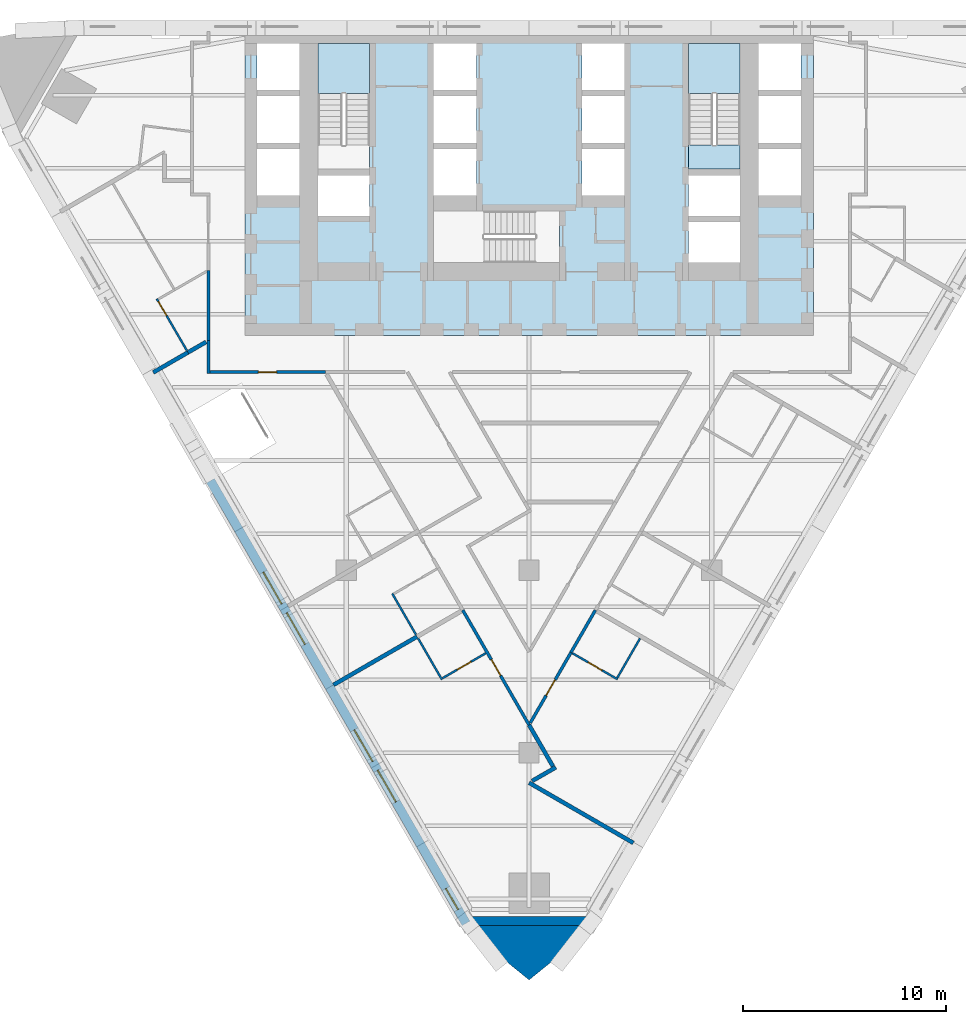
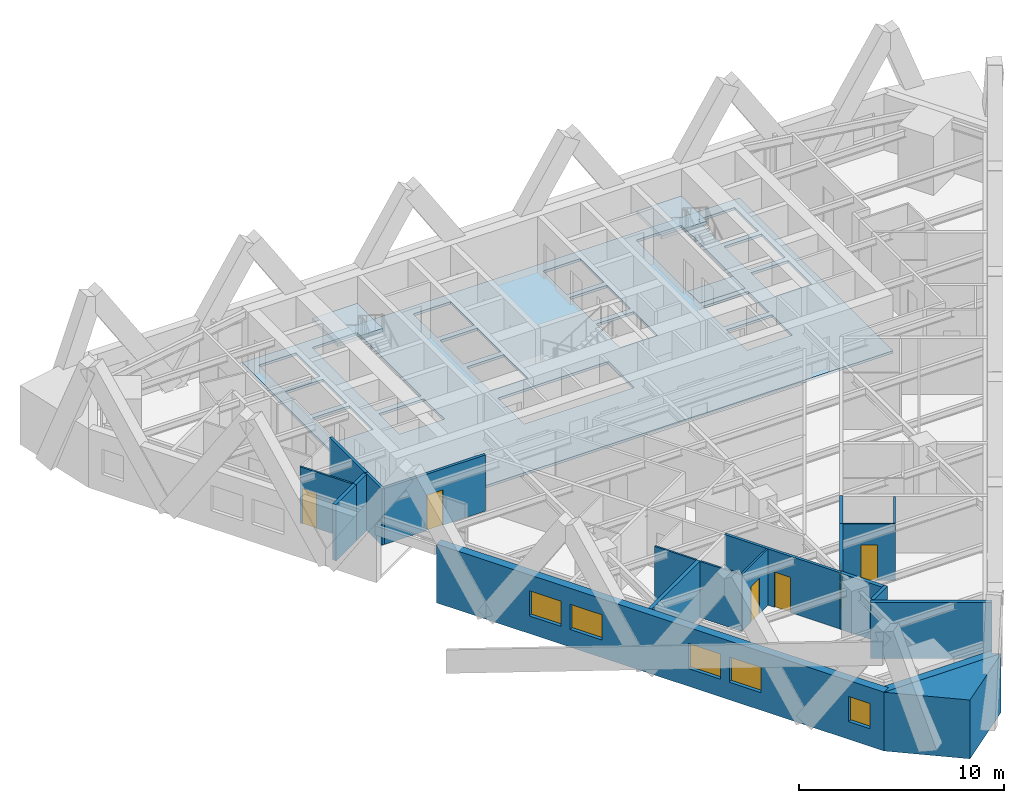
# One storey, part 4 of 12: 21 walls, 6 doors, 5 windows, 4 slabs, 11 openings, 2 elements without a shape of their own.
"""IFC4 building model written with IfcOpenShell, lengths in metres."""

from ifc_helpers import new_model, si_unit, direction, frame, frame_2d, origin, place, context, subcontext, project, spatial, polyline, rectangle, outline, extrude, material, layer, layer_set, type_object, element, fill, aggregate, save


model = new_model("IFC4")

# Units and contexts
model_context = context("Model", 3, precision=1e-05, world=origin(), true_north=direction((0.0, 1.0)))
body_context = subcontext(model_context, "Body", "Model", "MODEL_VIEW")
ifc_project = project(units=[si_unit("LENGTHUNIT", "METRE"), si_unit("AREAUNIT", "SQUARE_METRE"), si_unit("VOLUMEUNIT", "CUBIC_METRE"), si_unit("PLANEANGLEUNIT", "RADIAN"), si_unit("MASSUNIT", "GRAM", prefix="KILO")], contexts=[model_context])

# Site, building, storey
site_placement = place(None, origin())
site = spatial("IfcSite", under=ifc_project, at=site_placement, CompositionType="ELEMENT")
building_placement = place(site_placement, origin())
building = spatial("IfcBuilding", under=site, at=building_placement, Name="Aloe Facet Convention Tower", CompositionType="ELEMENT")
storey_placement = place(building_placement, frame((0.0, 0.0, 56.0)))
storey = spatial("IfcBuildingStorey", under=building, at=storey_placement, Name="L12", CompositionType="ELEMENT", Elevation=56.0)

# Slabs
ifc_material_1 = material(Name="Concrete C80/95", Category="concrete")
ifc_layer_1 = layer(ifc_material_1, 0.14990234375)
ifc_layer_set_1 = layer_set([ifc_layer_1], Name="CR-S-FLOOR150-C8095")
slab_type_1 = type_object("IfcSlabType", Name="CR-S-FLOOR150-C8095", PredefinedType="FLOOR", material=ifc_layer_set_1)
slab_1_placement = place(storey_placement, frame((0.0, 0.0, -0.14990234375)))
element("IfcSlab", 1, at=slab_1_placement, inside=storey, type_object=slab_type_1, Name="Core floor L12", PredefinedType="FLOOR", context=body_context, shape_type="SweptSolid", body=[
    extrude(outline(polyline([(69.300048828125, 134.550048828125), (71.85009765625, 134.550048828125), (72.75, 134.550048828125), (74.699951171875, 134.550048828125), (75.60009765625, 134.550048828125), (77.10009765625, 134.550048828125), (78.0, 134.550048828125), (82.0, 134.550048828125), (82.89990234375, 134.550048828125), (84.39990234375, 134.550048828125), (85.300048828125, 134.550048828125), (87.25, 134.550048828125), (88.14990234375, 134.550048828125), (90.699951171875, 134.550048828125), (91.0, 134.550048828125), (94.0, 134.550048828125), (94.0, 131.949951171875), (94.0, 131.050048828125), (94.0, 129.35009765625), (94.0, 128.449951171875), (94.0, 126.449951171875), (94.0, 125.85009765625), (94.0, 124.9736328125), (94.0, 123.923583984375), (94.0, 122.834228515625), (94.0, 121.7841796875), (94.0, 119.550048828125), (91.300048828125, 119.550048828125), (90.699951171875, 119.550048828125), (89.60009765625, 119.550048828125), (88.550048828125, 119.550048828125), (87.89990234375, 119.550048828125), (86.85009765625, 119.550048828125), (85.699951171875, 119.550048828125), (84.64990234375, 119.550048828125), (83.699951171875, 119.550048828125), (82.64990234375, 119.550048828125), (81.75, 119.550048828125), (80.699951171875, 119.550048828125), (79.61669921875, 119.550048828125), (78.566650390625, 119.550048828125), (77.4833984375, 119.550048828125), (76.433349609375, 119.550048828125), (75.35009765625, 119.550048828125), (74.300048828125, 119.550048828125), (73.14990234375, 119.550048828125), (72.10009765625, 119.550048828125), (69.300048828125, 119.550048828125), (68.699951171875, 119.550048828125), (66.0, 119.550048828125), (66.0, 121.5), (66.0, 122.550048828125), (66.0, 123.639404296875), (66.0, 124.689453125), (66.0, 125.85009765625), (66.0, 126.449951171875), (66.0, 128.449951171875), (66.0, 129.35009765625), (66.0, 131.050048828125), (66.0, 131.949951171875), (66.0, 134.550048828125), (69.0, 134.550048828125), (69.300048828125, 134.550048828125)]), holes=[polyline([(75.300048828125, 123.14990234375), (80.298828125, 123.14990234375), (81.5, 123.14990234375), (81.5, 125.699951171875), (80.298828125, 125.699951171875), (75.300048828125, 125.699951171875), (75.300048828125, 123.14990234375)]), polyline([(69.60009765625, 125.449951171875), (72.14990234375, 125.449951171875), (72.14990234375, 127.449951171875), (69.60009765625, 127.449951171875), (69.60009765625, 125.449951171875)]), polyline([(66.60009765625, 126.449951171875), (68.699951171875, 126.449951171875), (68.699951171875, 128.75), (66.60009765625, 128.75), (66.60009765625, 126.449951171875)]), polyline([(75.300048828125, 126.449951171875), (77.39990234375, 126.449951171875), (77.39990234375, 128.75), (75.300048828125, 128.75), (75.300048828125, 126.449951171875)]), polyline([(66.60009765625, 129.050048828125), (68.699951171875, 129.050048828125), (68.699951171875, 131.35009765625), (66.60009765625, 131.35009765625), (66.60009765625, 129.050048828125)]), polyline([(75.300048828125, 129.050048828125), (77.39990234375, 129.050048828125), (77.39990234375, 131.35009765625), (75.300048828125, 131.35009765625), (75.300048828125, 129.050048828125)]), polyline([(69.60009765625, 133.949951171875), (69.60009765625, 128.951171875), (69.60009765625, 127.75), (72.14990234375, 127.75), (72.14990234375, 128.951171875), (72.14990234375, 133.949951171875), (69.60009765625, 133.949951171875)]), polyline([(66.60009765625, 133.949951171875), (66.60009765625, 131.64990234375), (68.699951171875, 131.64990234375), (68.699951171875, 133.949951171875), (66.60009765625, 133.949951171875)]), polyline([(75.300048828125, 133.949951171875), (75.300048828125, 131.64990234375), (77.39990234375, 131.64990234375), (77.39990234375, 133.949951171875), (75.300048828125, 133.949951171875)]), polyline([(87.85009765625, 123.14990234375), (90.39990234375, 123.14990234375), (90.39990234375, 125.14990234375), (87.85009765625, 125.14990234375), (87.85009765625, 123.14990234375)]), polyline([(87.85009765625, 125.449951171875), (90.39990234375, 125.449951171875), (90.39990234375, 127.449951171875), (87.85009765625, 127.449951171875), (87.85009765625, 125.449951171875)]), polyline([(82.60009765625, 126.449951171875), (84.699951171875, 126.449951171875), (84.699951171875, 128.75), (82.60009765625, 128.75), (82.60009765625, 126.449951171875)]), polyline([(91.300048828125, 126.449951171875), (93.39990234375, 126.449951171875), (93.39990234375, 128.75), (91.300048828125, 128.75), (91.300048828125, 126.449951171875)]), polyline([(82.60009765625, 129.050048828125), (84.699951171875, 129.050048828125), (84.699951171875, 131.35009765625), (82.60009765625, 131.35009765625), (82.60009765625, 129.050048828125)]), polyline([(91.300048828125, 129.050048828125), (93.39990234375, 129.050048828125), (93.39990234375, 131.35009765625), (91.300048828125, 131.35009765625), (91.300048828125, 129.050048828125)]), polyline([(87.85009765625, 133.949951171875), (87.85009765625, 128.951171875), (87.85009765625, 127.75), (90.39990234375, 127.75), (90.39990234375, 128.951171875), (90.39990234375, 133.949951171875), (87.85009765625, 133.949951171875)]), polyline([(82.60009765625, 133.949951171875), (82.60009765625, 131.64990234375), (84.699951171875, 131.64990234375), (84.699951171875, 133.949951171875), (82.60009765625, 133.949951171875)]), polyline([(91.300048828125, 133.949951171875), (91.300048828125, 131.64990234375), (93.39990234375, 131.64990234375), (93.39990234375, 133.949951171875), (91.300048828125, 133.949951171875)])]), origin(), (0.0, 0.0, 1.0), 0.14990234375),
])
ifc_material_2 = material(Name="Concrete C80/95", Category="concrete")
ifc_layer_2 = layer(ifc_material_2, 0.300048828125)
ifc_layer_set_2 = layer_set([ifc_layer_2], Name="CR-S-FLOOR300-C8095")
slab_type_2 = type_object("IfcSlabType", Name="CR-S-FLOOR300-C8095", PredefinedType="FLOOR", material=ifc_layer_set_2)
slab_2_placement = place(storey_placement, frame((0.0, 0.0, -0.300048828125)))
element("IfcSlab", 2, at=slab_2_placement, inside=storey, type_object=slab_type_2, Name="Stair landing floor L12", PredefinedType="FLOOR", context=body_context, shape_type="SweptSolid", body=[
    extrude(outline(polyline([(90.39990234375, 127.75), (90.39990234375, 128.951171875), (87.85009765625, 128.951171875), (87.85009765625, 127.75), (90.39990234375, 127.75)])), origin(), (0.0, 0.0, 1.0), 0.300048828125),
])

# Stair, slab
ifc_material_3 = material(Name="Concrete C50/60", Category="concrete")
stair_type = type_object("IfcStairType", Name="CR-ST-20R", PredefinedType="HALF_TURN_STAIR", material=ifc_material_3)
stair_1_placement = place(storey_placement, origin())
stair_1 = element("IfcStair", 3, at=stair_1_placement, inside=storey, type_object=stair_type, Name="L12 Protected exit stair ST1", PredefinedType="HALF_TURN_STAIR")
ifc_material_4 = material(Name="Concrete C50/60", Category="concrete")
ifc_layer_3 = layer(ifc_material_4, 0.199951171875)
ifc_layer_set_3 = layer_set([ifc_layer_3], Name="CR-SL-LANDING")
slab_type_3 = type_object("IfcSlabType", Name="CR-SL-LANDING", PredefinedType="LANDING", material=ifc_layer_set_3)
slab_3_placement = place(storey_placement, frame((0.0, 0.0, 1.550048828125)))
slab_3 = element("IfcSlab", 4, at=slab_3_placement, type_object=slab_type_3, Name="ST1 landing 1", PredefinedType="LANDING", context=body_context, shape_type="SweptSolid", body=[
    extrude(outline(polyline([(72.14990234375, 131.469970703125), (72.14990234375, 133.949951171875), (69.60009765625, 133.949951171875), (69.60009765625, 131.469970703125), (72.14990234375, 131.469970703125)])), origin(), (0.0, 0.0, 1.0), 0.199951171875),
])
aggregate(stair_1, [slab_3])

stair_2_placement = place(storey_placement, origin())
stair_2 = element("IfcStair", 5, at=stair_2_placement, inside=storey, type_object=stair_type, Name="L12 Protected exit stair ST2", PredefinedType="HALF_TURN_STAIR")
slab_4_placement = place(storey_placement, frame((0.0, 0.0, 1.550048828125)))
slab_4 = element("IfcSlab", 6, at=slab_4_placement, type_object=slab_type_3, Name="ST2 landing 1", PredefinedType="LANDING", context=body_context, shape_type="SweptSolid", body=[
    extrude(outline(polyline([(90.39990234375, 131.469970703125), (90.39990234375, 133.949951171875), (87.85009765625, 133.949951171875), (87.85009765625, 131.469970703125), (90.39990234375, 131.469970703125)])), origin(), (0.0, 0.0, 1.0), 0.199951171875),
])
aggregate(stair_2, [slab_4])

# Walls
ifc_material_5 = material(Name="Precast concrete C40/50", Category="concrete")
ifc_layer_4 = layer(ifc_material_5, 0.449951171875)
ifc_layer_set_4 = layer_set([ifc_layer_4], Name="EV-WALL-PIER")
wall_type_1 = type_object("IfcWallType", Name="EV-WALL-PIER", PredefinedType="SOLIDWALL", material=ifc_layer_set_4)
wall_1_placement = place(storey_placement, frame((0.0, 0.0, -0.14990234375)))
element("IfcWall", 7, at=wall_1_placement, inside=storey, type_object=wall_type_1, Name="EP-L12-B", PredefinedType="SOLIDWALL", context=body_context, shape_type="SweptSolid", body=[
    extrude(outline(polyline([(76.699951171875, 90.486328125), (77.089599609375, 90.711181640625), (76.959716796875, 90.936279296875), (83.040283203125, 90.936279296875), (82.910400390625, 90.711181640625), (83.300048828125, 90.486328125), (76.699951171875, 90.486328125)])), origin(), (0.0, 0.0, 1.0), 3.5),
])
ifc_material_6 = material(Name="Precast concrete C40/50", Category="concrete")
ifc_layer_5 = layer(ifc_material_6, 3.947998046875)
ifc_layer_set_5 = layer_set([ifc_layer_5], Name="EV-WALL-SPINE")
wall_type_2 = type_object("IfcWallType", Name="EV-WALL-SPINE", PredefinedType="SOLIDWALL", material=ifc_layer_set_5)
wall_2_placement = place(storey_placement, frame((0.0, 0.0, -0.14990234375)))
element("IfcWall", 8, at=wall_2_placement, inside=storey, type_object=wall_type_2, Name="SP-S-L12", PredefinedType="SOLIDWALL", context=body_context, shape_type="SweptSolid", body=[
    extrude(outline(polyline([(76.699951171875, 90.486328125), (80.0, 87.811279296875), (83.300048828125, 90.486328125), (76.699951171875, 90.486328125)])), origin(), (0.0, 0.0, 1.0), 3.5),
])

# Wall, openings, windows
ifc_material_7 = material(Name="Precast concrete C40/50", Category="concrete")
ifc_layer_6 = layer(ifc_material_7, 0.449951171875)
ifc_layer_set_6 = layer_set([ifc_layer_6], Name="EV-WALL-STONE")
wall_type_3 = type_object("IfcWallType", Name="EV-WALL-STONE", PredefinedType="SOLIDWALL", material=ifc_layer_set_6)
wall_3_placement = place(storey_placement, frame((64.304931640625, 112.4052734375, -0.14990234375), z_axis=(0.0, 0.0, 1.0), x_axis=(0.499997464327, -0.866026867751, 0.0)))
wall_3 = element("IfcWall", 9, at=wall_3_placement, inside=storey, type_object=wall_type_3, Name="EW-L12-W02", PredefinedType="SOLIDWALL", context=body_context, shape_type="SweptSolid", body=[
    extrude(outline(polyline([(25.179931640625, 3.5), (25.179931640625, 0.0), (0.0, 0.0), (0.0, 3.5), (25.179931640625, 3.5)])), frame((0.0, 0.22509765625, 0.0), z_axis=(0.0, -1.0, 0.0), x_axis=(1.0, 0.0, 0.0)), (0.0, 0.0, 1.0), 0.449951171875),
])
opening_1_placement = place(wall_3_placement, frame((5.2099609375, 0.0, 1.050048828125)))
opening_1 = element("IfcOpeningElement", 10, at=opening_1_placement, cuts=wall_3, Name="Opening W-L12-W04", PredefinedType="OPENING", context=body_context, shape_type="SweptSolid", body=[
    extrude(rectangle(XDim=1.800048828125, YDim=1.5, at=frame_2d((0.89990234375, 0.75))), frame((0.0, 0.23486328125, 0.0), z_axis=(0.0, -1.0, 0.0), x_axis=(1.0, 0.0, 0.0)), (0.0, 0.0, 1.0), 0.469970703125),
])
opening_2_placement = place(wall_3_placement, frame((7.510009765625, 0.0, 1.050048828125)))
opening_2 = element("IfcOpeningElement", 11, at=opening_2_placement, cuts=wall_3, Name="Opening W-L12-W05", PredefinedType="OPENING", context=body_context, shape_type="SweptSolid", body=[
    extrude(rectangle(XDim=1.800048828125, YDim=1.5, at=frame_2d((0.89990234375, 0.75))), frame((0.0, 0.23486328125, 0.0), z_axis=(0.0, -1.0, 0.0), x_axis=(1.0, 0.0, 0.0)), (0.0, 0.0, 1.0), 0.469970703125),
])
opening_3_placement = place(wall_3_placement, frame((14.169921875, 0.0, 1.050048828125)))
opening_3 = element("IfcOpeningElement", 12, at=opening_3_placement, cuts=wall_3, Name="Opening W-L12-W06", PredefinedType="OPENING", context=body_context, shape_type="SweptSolid", body=[
    extrude(rectangle(XDim=1.800048828125, YDim=1.5, at=frame_2d((0.89990234375, 0.75))), frame((0.0, 0.23486328125, 0.0), z_axis=(0.0, -1.0, 0.0), x_axis=(1.0, 0.0, 0.0)), (0.0, 0.0, 1.0), 0.469970703125),
])
opening_4_placement = place(wall_3_placement, frame((16.469970703125, 0.0, 1.050048828125)))
opening_4 = element("IfcOpeningElement", 13, at=opening_4_placement, cuts=wall_3, Name="Opening W-L12-W07", PredefinedType="OPENING", context=body_context, shape_type="SweptSolid", body=[
    extrude(rectangle(XDim=1.800048828125, YDim=1.5, at=frame_2d((0.89990234375, 0.75))), frame((0.0, 0.23486328125, 0.0), z_axis=(0.0, -1.0, 0.0), x_axis=(1.0, 0.0, 0.0)), (0.0, 0.0, 1.0), 0.469970703125),
])
opening_5_placement = place(wall_3_placement, frame((23.19384765625, 0.0, 1.050048828125)))
opening_5 = element("IfcOpeningElement", 14, at=opening_5_placement, cuts=wall_3, Name="Opening W-L12-W08", PredefinedType="OPENING", context=body_context, shape_type="SweptSolid", body=[
    extrude(rectangle(XDim=1.199951171875, YDim=1.5, at=frame_2d((0.60009765625, 0.75))), frame((0.0, 0.23486328125, 0.0), z_axis=(0.0, -1.0, 0.0), x_axis=(1.0, 0.0, 0.0)), (0.0, 0.0, 1.0), 0.469970703125),
])
ifc_material_8 = material(Name="Aluminium frame, clear double glazing", Category="aluminium")
window_type_1 = type_object("IfcWindowType", Name="EV-WIN-H12", PartitioningType="SINGLE_PANEL", PredefinedType="WINDOW", material=ifc_material_8)
window_1_placement = place(opening_5_placement, origin())
window_1 = element("IfcWindow", 15, at=window_1_placement, inside=storey, type_object=window_type_1, Name="W-L12-W08", OverallHeight=1.5, OverallWidth=1.199951171875, PartitioningType="SINGLE_PANEL", PredefinedType="WINDOW", context=body_context, shape_type="SweptSolid", body=[
    extrude(rectangle(XDim=1.199951171875, YDim=1.5, at=frame_2d((0.60009765625, 0.75))), frame((0.0, 0.030029296875, 0.0), z_axis=(0.0, -1.0, 0.0), x_axis=(1.0, 0.0, 0.0)), (0.0, 0.0, 1.0), 0.06005859375),
])
fill(opening_5, window_1)
ifc_material_9 = material(Name="Aluminium frame, clear double glazing", Category="aluminium")
window_type_2 = type_object("IfcWindowType", Name="EV-WIN-H18", PartitioningType="SINGLE_PANEL", PredefinedType="WINDOW", material=ifc_material_9)
window_2_placement = place(opening_1_placement, origin())
window_2 = element("IfcWindow", 16, at=window_2_placement, inside=storey, type_object=window_type_2, Name="W-L12-W04", OverallHeight=1.5, OverallWidth=1.800048828125, PartitioningType="SINGLE_PANEL", PredefinedType="WINDOW", context=body_context, shape_type="SweptSolid", body=[
    extrude(rectangle(XDim=1.800048828125, YDim=1.5, at=frame_2d((0.89990234375, 0.75))), frame((0.0, 0.030029296875, 0.0), z_axis=(0.0, -1.0, 0.0), x_axis=(1.0, 0.0, 0.0)), (0.0, 0.0, 1.0), 0.06005859375),
])
fill(opening_1, window_2)
window_3_placement = place(opening_2_placement, origin())
window_3 = element("IfcWindow", 17, at=window_3_placement, inside=storey, type_object=window_type_2, Name="W-L12-W05", OverallHeight=1.5, OverallWidth=1.800048828125, PartitioningType="SINGLE_PANEL", PredefinedType="WINDOW", context=body_context, shape_type="SweptSolid", body=[
    extrude(rectangle(XDim=1.800048828125, YDim=1.5, at=frame_2d((0.89990234375, 0.75))), frame((0.0, 0.030029296875, 0.0), z_axis=(0.0, -1.0, 0.0), x_axis=(1.0, 0.0, 0.0)), (0.0, 0.0, 1.0), 0.06005859375),
])
fill(opening_2, window_3)
window_4_placement = place(opening_3_placement, origin())
window_4 = element("IfcWindow", 18, at=window_4_placement, inside=storey, type_object=window_type_2, Name="W-L12-W06", OverallHeight=1.5, OverallWidth=1.800048828125, PartitioningType="SINGLE_PANEL", PredefinedType="WINDOW", context=body_context, shape_type="SweptSolid", body=[
    extrude(rectangle(XDim=1.800048828125, YDim=1.5, at=frame_2d((0.89990234375, 0.75))), frame((0.0, 0.030029296875, 0.0), z_axis=(0.0, -1.0, 0.0), x_axis=(1.0, 0.0, 0.0)), (0.0, 0.0, 1.0), 0.06005859375),
])
fill(opening_3, window_4)
window_5_placement = place(opening_4_placement, origin())
window_5 = element("IfcWindow", 19, at=window_5_placement, inside=storey, type_object=window_type_2, Name="W-L12-W07", OverallHeight=1.5, OverallWidth=1.800048828125, PartitioningType="SINGLE_PANEL", PredefinedType="WINDOW", context=body_context, shape_type="SweptSolid", body=[
    extrude(rectangle(XDim=1.800048828125, YDim=1.5, at=frame_2d((0.89990234375, 0.75))), frame((0.0, 0.030029296875, 0.0), z_axis=(0.0, -1.0, 0.0), x_axis=(1.0, 0.0, 0.0)), (0.0, 0.0, 1.0), 0.06005859375),
])
fill(opening_4, window_5)

# Wall, opening, door
ifc_material_10 = material(Name="Gypsum board partition on steel studs", Category="steel")
ifc_layer_7 = layer(ifc_material_10, 0.14990234375)
ifc_layer_set_7 = layer_set([ifc_layer_7], Name="IN-W-CORR")
wall_type_4 = type_object("IfcWallType", Name="IN-W-CORR", PredefinedType="PARTITIONING", material=ifc_layer_set_7)
wall_4_placement = place(storey_placement, frame((76.735107421875, 106.025634765625, 0.0), z_axis=(0.0, 0.0, 1.0), x_axis=(0.499995393218, -0.866028063495, 0.0)))
wall_4 = element("IfcWall", 20, at=wall_4_placement, inside=storey, type_object=wall_type_4, Name="Partition L12-W004", PredefinedType="PARTITIONING", context=body_context, shape_type="SweptSolid", body=[
    extrude(rectangle(XDim=6.52978515625, YDim=0.14990234375, at=frame_2d((3.264892578125, 0.0))), origin(), (0.0, 0.0, 1.0), 3.35009765625),
])
opening_6_placement = place(wall_4_placement, frame((2.81494140625, 0.0, 0.0)))
opening_6 = element("IfcOpeningElement", 21, at=opening_6_placement, cuts=wall_4, Name="Opening L12-005", PredefinedType="OPENING", context=body_context, shape_type="SweptSolid", body=[
    extrude(rectangle(XDim=0.89990234375, YDim=2.10009765625, at=frame_2d((0.449951171875, 1.050048828125))), frame((0.0, 0.0849609375, 0.0), z_axis=(0.0, -1.0, 0.0), x_axis=(1.0, 0.0, 0.0)), (0.0, 0.0, 1.0), 0.169921875),
])
ifc_material_11 = material(Name="Hardwood flush door FD30S", Category="wood")
door_type_1 = type_object("IfcDoorType", Name="IN-D-GUEST", OperationType="SINGLE_SWING_LEFT", PredefinedType="DOOR", material=ifc_material_11)
door_1_placement = place(opening_6_placement, origin())
door_1 = element("IfcDoor", 22, at=door_1_placement, inside=storey, type_object=door_type_1, Name="Door L12-005", OperationType="SINGLE_SWING_LEFT", OverallHeight=2.10009765625, OverallWidth=0.89990234375, PredefinedType="DOOR", context=body_context, shape_type="SweptSolid", body=[
    extrude(rectangle(XDim=0.89990234375, YDim=2.10009765625, at=frame_2d((0.449951171875, 1.050048828125))), frame((0.0, 0.02490234375, 0.0), z_axis=(0.0, -1.0, 0.0), x_axis=(1.0, 0.0, 0.0)), (0.0, 0.0, 1.0), 0.050048828125),
])
fill(opening_6, door_1)

# Wall
wall_5_placement = place(storey_placement, frame((82.06494140625, 103.947265625, 0.0), z_axis=(0.0, 0.0, 1.0), x_axis=(0.500001309137, 0.866024647952, 0.0)))
element("IfcWall", 23, at=wall_5_placement, inside=storey, type_object=wall_type_4, Name="Partition L12-W010", PredefinedType="PARTITIONING", context=body_context, shape_type="SweptSolid", body=[
    extrude(rectangle(XDim=2.39990234375, YDim=0.14990234375, at=frame_2d((1.199951171875, 0.0))), origin(), (0.0, 0.0, 1.0), 3.35009765625),
])

# Wall, opening, door
wall_6_placement = place(storey_placement, frame((80.06005859375, 100.474365234375, 0.0), z_axis=(0.0, 0.0, 1.0), x_axis=(0.499963124258, 0.866046692957, 0.0)))
wall_6 = element("IfcWall", 24, at=wall_6_placement, inside=storey, type_object=wall_type_4, Name="Partition L12-W011", PredefinedType="PARTITIONING", context=body_context, shape_type="SweptSolid", body=[
    extrude(rectangle(XDim=4.010009765625, YDim=0.14990234375, at=frame_2d((2.0048828125, 0.0))), origin(), (0.0, 0.0, 1.0), 3.35009765625),
])
opening_7_placement = place(wall_6_placement, frame((1.554931640625, 0.0, 0.0)))
opening_7 = element("IfcOpeningElement", 25, at=opening_7_placement, cuts=wall_6, Name="Opening L12-006", PredefinedType="OPENING", context=body_context, shape_type="SweptSolid", body=[
    extrude(rectangle(XDim=0.89990234375, YDim=2.10009765625, at=frame_2d((0.449951171875, 1.050048828125))), frame((0.0, 0.0849609375, 0.0), z_axis=(0.0, -1.0, 0.0), x_axis=(1.0, 0.0, 0.0)), (0.0, 0.0, 1.0), 0.169921875),
])
door_2_placement = place(opening_7_placement, origin())
door_2 = element("IfcDoor", 26, at=door_2_placement, inside=storey, type_object=door_type_1, Name="Door L12-006", OperationType="SINGLE_SWING_LEFT", OverallHeight=2.10009765625, OverallWidth=0.89990234375, PredefinedType="DOOR", context=body_context, shape_type="SweptSolid", body=[
    extrude(rectangle(XDim=0.89990234375, YDim=2.10009765625, at=frame_2d((0.449951171875, 1.050048828125))), frame((0.0, 0.02490234375, 0.0), z_axis=(0.0, -1.0, 0.0), x_axis=(1.0, 0.0, 0.0)), (0.0, 0.0, 1.0), 0.050048828125),
])
fill(opening_7, door_2)

# Wall
wall_7_placement = place(storey_placement, frame((64.199951171875, 117.675048828125, 0.0), z_axis=(0.0, 0.0, 1.0), x_axis=(0.0, 1.0, 0.0)))
element("IfcWall", 27, at=wall_7_placement, inside=storey, type_object=wall_type_4, Name="Partition L12-W063", PredefinedType="PARTITIONING", context=body_context, shape_type="SweptSolid", body=[
    extrude(rectangle(XDim=1.628173828125, YDim=0.14990234375, at=frame_2d((0.81396484375, 0.0))), origin(), (0.0, 0.0, 1.0), 3.35009765625),
])

# Wall, opening, door
wall_8_placement = place(storey_placement, frame((64.27490234375, 117.75, 0.0), z_axis=(0.0, 0.0, 1.0), x_axis=(1.0, 0.0, 0.0)))
wall_8 = element("IfcWall", 28, at=wall_8_placement, inside=storey, type_object=wall_type_4, Name="Partition L12-W064", PredefinedType="PARTITIONING", context=body_context, shape_type="SweptSolid", body=[
    extrude(rectangle(XDim=5.691162109375, YDim=0.14990234375, at=frame_2d((2.845703125, 0.0))), origin(), (0.0, 0.0, 1.0), 3.35009765625),
])
opening_8_placement = place(wall_8_placement, frame((2.3955078125, 0.0, 0.0)))
opening_8 = element("IfcOpeningElement", 29, at=opening_8_placement, cuts=wall_8, Name="Opening L12-003", PredefinedType="OPENING", context=body_context, shape_type="SweptSolid", body=[
    extrude(rectangle(XDim=0.89990234375, YDim=2.10009765625, at=frame_2d((0.449951171875, 1.050048828125))), frame((0.0, 0.0849609375, 0.0), z_axis=(0.0, -1.0, 0.0), x_axis=(1.0, 0.0, 0.0)), (0.0, 0.0, 1.0), 0.169921875),
])
door_3_placement = place(opening_8_placement, origin())
door_3 = element("IfcDoor", 30, at=door_3_placement, inside=storey, type_object=door_type_1, Name="Door L12-003", OperationType="SINGLE_SWING_LEFT", OverallHeight=2.10009765625, OverallWidth=0.89990234375, PredefinedType="DOOR", context=body_context, shape_type="SweptSolid", body=[
    extrude(rectangle(XDim=0.89990234375, YDim=2.10009765625, at=frame_2d((0.449951171875, 1.050048828125))), frame((0.0, 0.02490234375, 0.0), z_axis=(0.0, -1.0, 0.0), x_axis=(1.0, 0.0, 0.0)), (0.0, 0.0, 1.0), 0.050048828125),
])
fill(opening_8, door_3)

# Walls
wall_9_placement = place(storey_placement, frame((64.199951171875, 119.30322265625, 0.0), z_axis=(0.0, 0.0, 1.0), x_axis=(0.0, 1.0, 0.0)))
element("IfcWall", 31, at=wall_9_placement, inside=storey, type_object=wall_type_4, Name="Partition L12-W083", PredefinedType="PARTITIONING", context=body_context, shape_type="SweptSolid", body=[
    extrude(rectangle(XDim=3.464111328125, YDim=0.14990234375, at=frame_2d((1.73193359375, 0.0))), origin(), (0.0, 0.0, 1.0), 3.35009765625),
])
ifc_material_12 = material(Name="Gypsum board partition on steel studs", Category="steel")
ifc_layer_8 = layer(ifc_material_12, 0.10009765625)
ifc_layer_set_8 = layer_set([ifc_layer_8], Name="IN-W-PART")
wall_type_5 = type_object("IfcWallType", Name="IN-W-PART", PredefinedType="PARTITIONING", material=ifc_layer_set_8)
wall_10_placement = place(storey_placement, frame((74.538330078125, 104.63037109375, 0.0), z_axis=(0.0, 0.0, 1.0), x_axis=(0.499999433879, -0.866025730634, 0.0)))
element("IfcWall", 32, at=wall_10_placement, inside=storey, type_object=wall_type_5, Name="Partition L12-W007", PredefinedType="PARTITIONING", context=body_context, shape_type="SweptSolid", body=[
    extrude(rectangle(XDim=2.33984375, YDim=0.10009765625, at=frame_2d((1.169921875, 0.0))), origin(), (0.0, 0.0, 1.0), 3.35009765625),
])

# Wall, opening, door
wall_11_placement = place(storey_placement, frame((82.138671875, 103.90478515625, 0.0), z_axis=(0.0, 0.0, 1.0), x_axis=(0.866014388206, -0.500019079056, 0.0)))
wall_11 = element("IfcWall", 33, at=wall_11_placement, inside=storey, type_object=wall_type_5, Name="Partition L12-W008", PredefinedType="PARTITIONING", context=body_context, shape_type="SweptSolid", body=[
    extrude(rectangle(XDim=2.56494140625, YDim=0.10009765625, at=frame_2d((1.282470703125, 0.0))), origin(), (0.0, 0.0, 1.0), 3.35009765625),
])
opening_9_placement = place(wall_11_placement, frame((0.882568359375, 0.0, 0.0)))
opening_9 = element("IfcOpeningElement", 34, at=opening_9_placement, cuts=wall_11, Name="Opening L12-023", PredefinedType="OPENING", context=body_context, shape_type="SweptSolid", body=[
    extrude(rectangle(XDim=0.800048828125, YDim=2.10009765625, at=frame_2d((0.39990234375, 1.050048828125))), frame((0.0, 0.06005859375, 0.0), z_axis=(0.0, -1.0, 0.0), x_axis=(1.0, 0.0, 0.0)), (0.0, 0.0, 1.0), 0.1201171875),
])
ifc_material_13 = material(Name="Timber flush door", Category="wood")
door_type_2 = type_object("IfcDoorType", Name="IN-D-BATH", OperationType="SINGLE_SWING_LEFT", PredefinedType="DOOR", material=ifc_material_13)
door_4_placement = place(opening_9_placement, origin())
door_4 = element("IfcDoor", 35, at=door_4_placement, inside=storey, type_object=door_type_2, Name="Door L12-023", OperationType="SINGLE_SWING_LEFT", OverallHeight=2.10009765625, OverallWidth=0.800048828125, PredefinedType="DOOR", context=body_context, shape_type="SweptSolid", body=[
    extrude(rectangle(XDim=0.800048828125, YDim=2.10009765625, at=frame_2d((0.39990234375, 1.050048828125))), frame((0.0, 0.02490234375, 0.0), z_axis=(0.0, -1.0, 0.0), x_axis=(1.0, 0.0, 0.0)), (0.0, 0.0, 1.0), 0.050048828125),
])
fill(opening_9, door_4)

wall_12_placement = place(storey_placement, frame((75.7353515625, 102.67724609375, 0.0), z_axis=(0.0, 0.0, 1.0), x_axis=(0.866040446274, 0.499973944738, 0.0)))
wall_12 = element("IfcWall", 36, at=wall_12_placement, inside=storey, type_object=wall_type_5, Name="Partition L12-W009", PredefinedType="PARTITIONING", context=body_context, shape_type="SweptSolid", body=[
    extrude(rectangle(XDim=2.465087890625, YDim=0.10009765625, at=frame_2d((1.232421875, 0.0))), origin(), (0.0, 0.0, 1.0), 3.35009765625),
])
opening_10_placement = place(wall_12_placement, frame((0.83251953125, 0.0, 0.0)))
opening_10 = element("IfcOpeningElement", 37, at=opening_10_placement, cuts=wall_12, Name="Opening L12-022", PredefinedType="OPENING", context=body_context, shape_type="SweptSolid", body=[
    extrude(rectangle(XDim=0.800048828125, YDim=2.10009765625, at=frame_2d((0.39990234375, 1.050048828125))), frame((0.0, 0.06005859375, 0.0), z_axis=(0.0, -1.0, 0.0), x_axis=(1.0, 0.0, 0.0)), (0.0, 0.0, 1.0), 0.1201171875),
])
door_5_placement = place(opening_10_placement, origin())
door_5 = element("IfcDoor", 38, at=door_5_placement, inside=storey, type_object=door_type_2, Name="Door L12-022", OperationType="SINGLE_SWING_LEFT", OverallHeight=2.10009765625, OverallWidth=0.800048828125, PredefinedType="DOOR", context=body_context, shape_type="SweptSolid", body=[
    extrude(rectangle(XDim=0.800048828125, YDim=2.10009765625, at=frame_2d((0.39990234375, 1.050048828125))), frame((0.0, 0.02490234375, 0.0), z_axis=(0.0, -1.0, 0.0), x_axis=(1.0, 0.0, 0.0)), (0.0, 0.0, 1.0), 0.050048828125),
])
fill(opening_10, door_5)

# Walls
wall_13_placement = place(storey_placement, frame((73.25830078125, 106.847412109375, 0.0), z_axis=(0.0, 0.0, 1.0), x_axis=(0.499999433879, -0.866025730634, 0.0)))
element("IfcWall", 39, at=wall_13_placement, inside=storey, type_object=wall_type_5, Name="Partition L12-W012", PredefinedType="PARTITIONING", context=body_context, shape_type="SweptSolid", body=[
    extrude(rectangle(XDim=2.33984375, YDim=0.10009765625, at=frame_2d((1.169921875, 0.0))), origin(), (0.0, 0.0, 1.0), 3.35009765625),
])
wall_14_placement = place(storey_placement, frame((84.341552734375, 102.6904296875, 0.0), z_axis=(0.0, 0.0, 1.0), x_axis=(0.499966648284, 0.866044658551, 0.0)))
element("IfcWall", 40, at=wall_14_placement, inside=storey, type_object=wall_type_5, Name="Partition L12-W013", PredefinedType="PARTITIONING", context=body_context, shape_type="SweptSolid", body=[
    extrude(rectangle(XDim=2.250244140625, YDim=0.10009765625, at=frame_2d((1.125, 0.0))), origin(), (0.0, 0.0, 1.0), 3.35009765625),
])

# Wall, opening, door
wall_15_placement = place(storey_placement, frame((61.663330078125, 121.360595703125, 0.0), z_axis=(0.0, 0.0, 1.0), x_axis=(0.502884554521, -0.864353587847, 0.0)))
wall_15 = element("IfcWall", 41, at=wall_15_placement, inside=storey, type_object=wall_type_5, Name="Partition L12-W074", PredefinedType="PARTITIONING", context=body_context, shape_type="SweptSolid", body=[
    extrude(rectangle(XDim=2.940185546875, YDim=0.10009765625, at=frame_2d((1.47021484375, 0.0))), origin(), (0.0, 0.0, 1.0), 3.35009765625),
])
opening_11_placement = place(wall_15_placement, frame((0.14990234375, 0.0, 0.0)))
opening_11 = element("IfcOpeningElement", 42, at=opening_11_placement, cuts=wall_15, Name="Opening L12-018", PredefinedType="OPENING", context=body_context, shape_type="SweptSolid", body=[
    extrude(rectangle(XDim=0.800048828125, YDim=2.10009765625, at=frame_2d((0.39990234375, 1.050048828125))), frame((0.0, 0.06005859375, 0.0), z_axis=(0.0, -1.0, 0.0), x_axis=(1.0, 0.0, 0.0)), (0.0, 0.0, 1.0), 0.1201171875),
])
door_6_placement = place(opening_11_placement, origin())
door_6 = element("IfcDoor", 43, at=door_6_placement, inside=storey, type_object=door_type_2, Name="Door L12-018", OperationType="SINGLE_SWING_LEFT", OverallHeight=2.10009765625, OverallWidth=0.800048828125, PredefinedType="DOOR", context=body_context, shape_type="SweptSolid", body=[
    extrude(rectangle(XDim=0.800048828125, YDim=2.10009765625, at=frame_2d((0.39990234375, 1.050048828125))), frame((0.0, 0.02490234375, 0.0), z_axis=(0.0, -1.0, 0.0), x_axis=(1.0, 0.0, 0.0)), (0.0, 0.0, 1.0), 0.050048828125),
])
fill(opening_11, door_6)

# Walls
ifc_material_14 = material(Name="Gypsum board partition on steel studs", Category="steel")
ifc_layer_9 = layer(ifc_material_14, 0.199951171875)
ifc_layer_set_9 = layer_set([ifc_layer_9], Name="IN-W-PARTY")
wall_type_6 = type_object("IfcWallType", Name="IN-W-PARTY", PredefinedType="PARTITIONING", material=ifc_layer_set_9)
wall_16_placement = place(storey_placement, frame((80.0, 97.52783203125, 0.0), z_axis=(0.0, 0.0, 1.0), x_axis=(0.866019629176, -0.500010001781, 0.0)))
element("IfcWall", 44, at=wall_16_placement, inside=storey, type_object=wall_type_6, Name="Partition L12-W001", PredefinedType="PARTITIONING", context=body_context, shape_type="SweptSolid", body=[
    extrude(rectangle(XDim=5.9287109375, YDim=0.199951171875, at=frame_2d((2.96435546875, 0.0))), origin(), (0.0, 0.0, 1.0), 3.35009765625),
])
wall_17_placement = place(storey_placement, frame((80.14990234375, 97.6142578125, 0.0), z_axis=(0.0, 0.0, 1.0), x_axis=(0.866049846835, 0.499957661005, 0.0)))
element("IfcWall", 45, at=wall_17_placement, inside=storey, type_object=wall_type_6, Name="Partition L12-W002", PredefinedType="PARTITIONING", context=body_context, shape_type="SweptSolid", body=[
    extrude(rectangle(XDim=1.34765625, YDim=0.199951171875, at=frame_2d((0.673828125, 0.0))), origin(), (0.0, 0.0, 1.0), 3.35009765625),
])
wall_18_placement = place(storey_placement, frame((80.0, 100.37060546875, 0.0), z_axis=(0.0, 0.0, 1.0), x_axis=(0.499812313709, -0.866133737401, 0.0)))
element("IfcWall", 46, at=wall_18_placement, inside=storey, type_object=wall_type_6, Name="Partition L12-W003", PredefinedType="PARTITIONING", context=body_context, shape_type="SweptSolid", body=[
    extrude(rectangle(XDim=2.35205078125, YDim=0.199951171875, at=frame_2d((1.176025390625, 0.0))), origin(), (0.0, 0.0, 1.0), 3.35009765625),
])
wall_19_placement = place(storey_placement, frame((70.36962890625, 102.3505859375, 0.0), z_axis=(0.0, 0.0, 1.0), x_axis=(0.866033238375, 0.499986429846, 0.0)))
element("IfcWall", 47, at=wall_19_placement, inside=storey, type_object=wall_type_6, Name="Partition L12-W005", PredefinedType="PARTITIONING", context=body_context, shape_type="SweptSolid", body=[
    extrude(rectangle(XDim=4.750244140625, YDim=0.199951171875, at=frame_2d((2.375, 0.0))), origin(), (0.0, 0.0, 1.0), 3.35009765625),
])
wall_20_placement = place(storey_placement, frame((61.486572265625, 117.736572265625, 0.0), z_axis=(0.0, 0.0, 1.0), x_axis=(0.866051805705, 0.499954267743, 0.0)))
element("IfcWall", 48, at=wall_20_placement, inside=storey, type_object=wall_type_6, Name="Partition L12-W062", PredefinedType="PARTITIONING", context=body_context, shape_type="SweptSolid", body=[
    extrude(rectangle(XDim=1.975341796875, YDim=0.199951171875, at=frame_2d((0.98779296875, 0.0))), origin(), (0.0, 0.0, 1.0), 3.35009765625),
])
wall_21_placement = place(storey_placement, frame((63.197265625, 118.72412109375, 0.0), z_axis=(0.0, 0.0, 1.0), x_axis=(0.86596515875, 0.500104332946, 0.0)))
element("IfcWall", 49, at=wall_21_placement, inside=storey, type_object=wall_type_6, Name="Partition L12-W075", PredefinedType="PARTITIONING", context=body_context, shape_type="SweptSolid", body=[
    extrude(rectangle(XDim=1.032958984375, YDim=0.199951171875, at=frame_2d((0.5166015625, 0.0))), origin(), (0.0, 0.0, 1.0), 3.35009765625),
])

save(model, "model.ifc")
